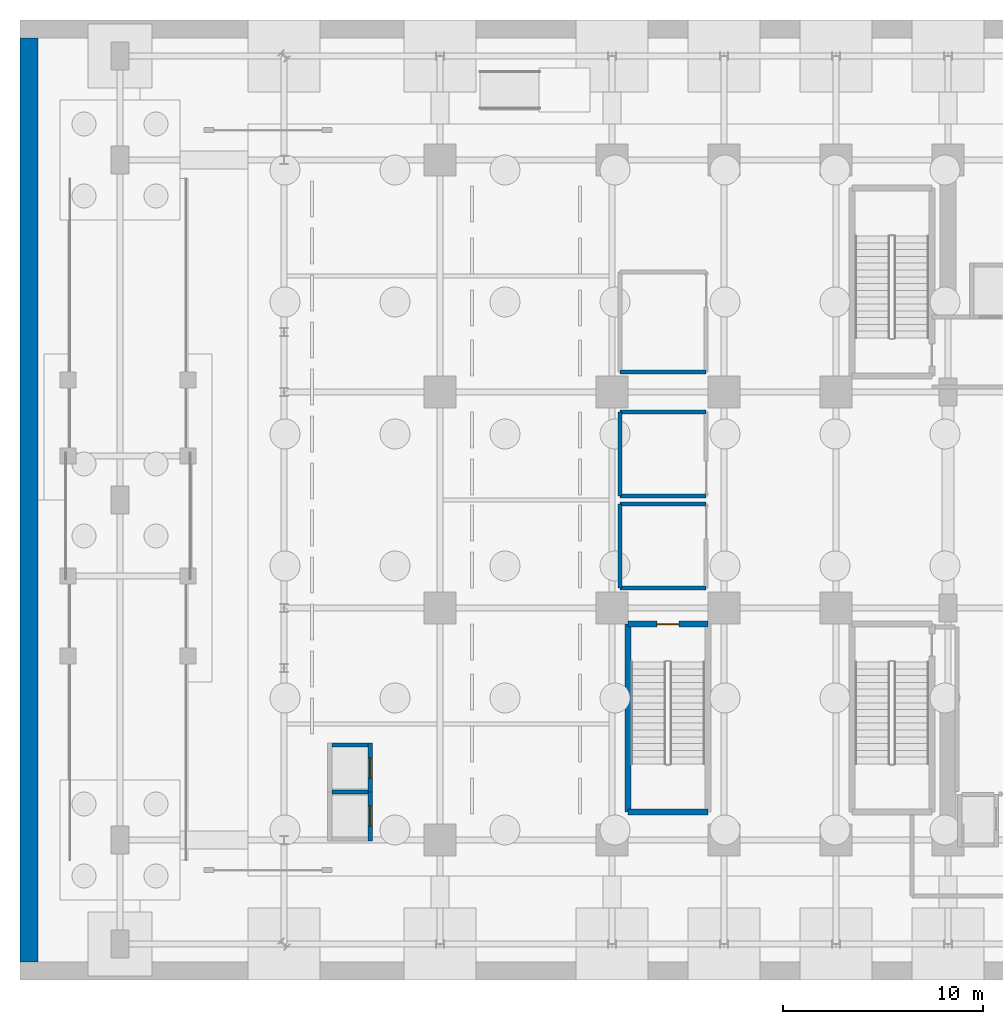
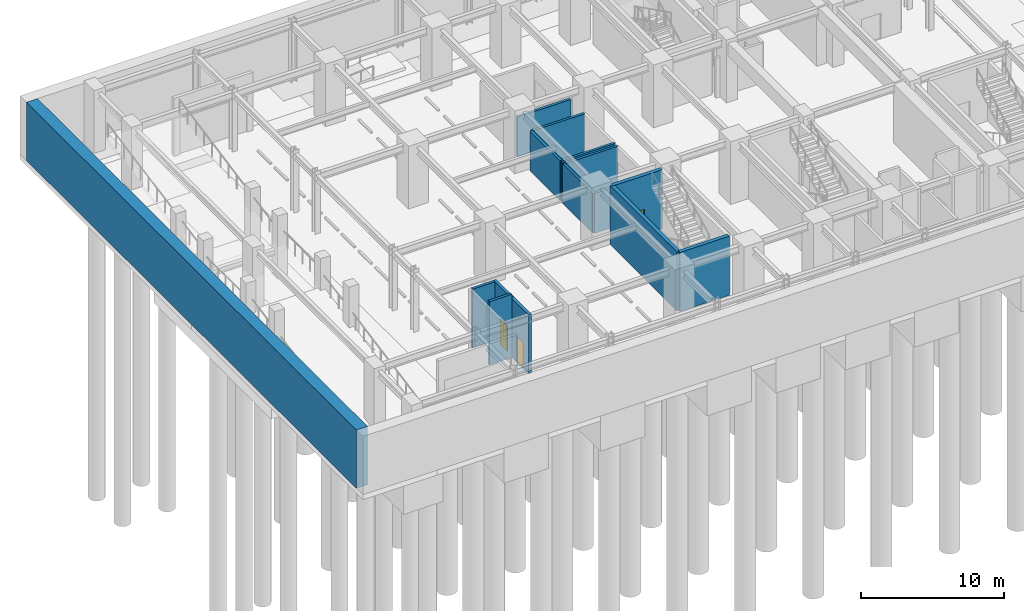
# One storey, part 6 of 14: 15 walls, 3 doors, 3 openings.
"""IFC4 building model written with IfcOpenShell, lengths in metres."""

from ifc_helpers import new_model, si_unit, direction, frame, frame_2d, origin, place, context, subcontext, project, spatial, rectangle, extrude, source, transform, mapped, material, layer, layer_set, type_object, element, fill, save


model = new_model("IFC4")

# Units and contexts
model_context = context("Model", 3, precision=1e-05, world=origin(), true_north=direction((0.0, 1.0)))
body_context = subcontext(model_context, "Body", "Model", "MODEL_VIEW")
ifc_project = project(units=[si_unit("LENGTHUNIT", "METRE"), si_unit("AREAUNIT", "SQUARE_METRE"), si_unit("VOLUMEUNIT", "CUBIC_METRE"), si_unit("PLANEANGLEUNIT", "RADIAN"), si_unit("MASSUNIT", "GRAM", prefix="KILO")], contexts=[model_context])

# Site, building, storey
site_placement = place(None, origin())
site = spatial("IfcSite", under=ifc_project, at=site_placement, CompositionType="ELEMENT")
building_placement = place(site_placement, origin())
building = spatial("IfcBuilding", under=site, at=building_placement, Name="Nahalor Promenade Grand Hotel", CompositionType="ELEMENT")
storey_placement = place(building_placement, frame((0.0, 0.0, -10.800048828125)))
storey = spatial("IfcBuildingStorey", under=building, at=storey_placement, Name="B02", CompositionType="ELEMENT", Elevation=-10.800048828125)

# Walls
ifc_material_1 = material(Name="Concrete B-50 (C40/50)", Category="concrete")
ifc_layer_1 = layer(ifc_material_1, 0.89990234375)
ifc_layer_set_1 = layer_set([ifc_layer_1], Name="Concrete B-50 (C40/50)")
wall_type_1 = type_object("IfcWallType", Name="Wall-Diaphragm-900", PredefinedType="SHEAR", material=ifc_layer_set_1)
shared_shape_1 = source(origin(), body_context, "Body", "SweptSolid", [
    extrude(rectangle(XDim=46.2001953125, YDim=0.89990234375, at=frame_2d((23.10009765625, 0.0))), origin(), (0.0, 0.0, 1.0), 4.97998046875),
])
wall_1_placement = place(storey_placement, frame((-37.550048828125, -23.10009765625, 0.0), z_axis=(0.0, 0.0, 1.0), x_axis=(0.0, 1.0, 0.0)))
element("IfcWall", 1, at=wall_1_placement, inside=storey, type_object=wall_type_1, Name="DW-B02-W", PredefinedType="SHEAR", context=body_context, shape_type="MappedRepresentation", body=[
    mapped(shared_shape_1, transform((0.0, 0.0, 0.0), scale=1.0)),
])
ifc_layer_2 = layer(ifc_material_1, 0.300048828125)
ifc_layer_set_2 = layer_set([ifc_layer_2], Name="Concrete B-50 (C40/50)")
wall_type_2 = type_object("IfcWallType", Name="Wall-ShaftShear-300", PredefinedType="SHEAR", material=ifc_layer_set_2)
shared_shape_2 = source(origin(), body_context, "Body", "SweptSolid", [
    extrude(rectangle(XDim=3.97998046875, YDim=0.300048828125, at=frame_2d((1.989990234375, 0.0))), origin(), (0.0, 0.0, 1.0), 5.050048828125),
])
wall_2_placement = place(storey_placement, frame((-7.590087890625, -15.590087890625, 0.0), z_axis=(0.0, 0.0, 1.0), x_axis=(1.0, 0.0, 0.0)))
element("IfcWall", 2, at=wall_2_placement, inside=storey, type_object=wall_type_2, Name="B02 Exit Stair ST3 Shaft Wall S", PredefinedType="SHEAR", context=body_context, shape_type="MappedRepresentation", body=[
    mapped(shared_shape_2, transform((0.0, 0.0, 0.0), scale=1.0)),
])

# Wall, opening, door
wall_3_placement = place(storey_placement, frame((-7.590087890625, -6.2099609375, 0.0), z_axis=(0.0, 0.0, 1.0), x_axis=(1.0, 0.0, 0.0)))
wall_3 = element("IfcWall", 3, at=wall_3_placement, inside=storey, type_object=wall_type_2, Name="B02 Exit Stair ST3 Shaft Wall N", PredefinedType="SHEAR", context=body_context, shape_type="MappedRepresentation", body=[
    mapped(shared_shape_2, transform((0.0, 0.0, 0.0), scale=1.0)),
])
opening_1_placement = place(wall_3_placement, frame((1.43994140625, 0.0, 0.0)))
opening_1 = element("IfcOpeningElement", 4, at=opening_1_placement, cuts=wall_3, Name="Opening D-ST1", PredefinedType="OPENING", context=body_context, shape_type="SweptSolid", body=[
    extrude(rectangle(XDim=1.10009765625, YDim=2.14990234375, at=frame_2d((0.550048828125, 1.074951171875))), frame((0.0, 0.159912109375, 0.0), z_axis=(0.0, -1.0, 0.0), x_axis=(1.0, 0.0, 0.0)), (0.0, 0.0, 1.0), 0.320068359375),
])
ifc_material_2 = material(Name="Steel S355JR", Category="steel")
door_type_1 = type_object("IfcDoorType", Name="Door-StairFire-1100", OperationType="NOTDEFINED", PredefinedType="DOOR", material=ifc_material_2)
shared_shape_3 = source(origin(), body_context, "Body", "SweptSolid", [
    extrude(rectangle(XDim=1.10009765625, YDim=2.14990234375, at=frame_2d((0.550048828125, 1.074951171875))), frame((0.0, 0.02490234375, 0.0), z_axis=(0.0, -1.0, 0.0), x_axis=(1.0, 0.0, 0.0)), (0.0, 0.0, 1.0), 0.050048828125),
])
door_1_placement = place(opening_1_placement, frame((1.10009765625, 0.0, 0.0), z_axis=(0.0, 0.0, 1.0), x_axis=(-1.0, 0.0, 0.0)))
door_1 = element("IfcDoor", 5, at=door_1_placement, inside=storey, type_object=door_type_1, Name="DR-STAIR-ST3-B02", OperationType="SINGLE_SWING_LEFT", OverallHeight=2.14990234375, OverallWidth=1.10009765625, PredefinedType="DOOR", context=body_context, shape_type="MappedRepresentation", body=[
    mapped(shared_shape_3, transform((0.0, 0.0, 0.0), scale=1.0)),
])
fill(opening_1, door_1)

# Wall
shared_shape_4 = source(origin(), body_context, "Body", "SweptSolid", [
    extrude(rectangle(XDim=9.380126953125, YDim=0.300048828125, at=frame_2d((4.68994140625, 0.0))), origin(), (0.0, 0.0, 1.0), 5.050048828125),
])
wall_4_placement = place(storey_placement, frame((-7.590087890625, -15.590087890625, 0.0), z_axis=(0.0, 0.0, 1.0), x_axis=(0.0, 1.0, 0.0)))
element("IfcWall", 6, at=wall_4_placement, inside=storey, type_object=wall_type_2, Name="B02 Exit Stair ST3 Shaft Wall W", PredefinedType="SHEAR", context=body_context, shape_type="MappedRepresentation", body=[
    mapped(shared_shape_4, transform((0.0, 0.0, 0.0), scale=1.0)),
])

# Wall, opening, door
ifc_layer_3 = layer(ifc_material_1, 0.219970703125)
ifc_layer_set_3 = layer_set([ifc_layer_3], Name="Concrete B-50 (C40/50)")
wall_type_3 = type_object("IfcWallType", Name="Wall-LiftShaft-220", PredefinedType="SHEAR", material=ifc_layer_set_3)
shared_shape_5 = source(origin(), body_context, "Body", "SweptSolid", [
    extrude(rectangle(XDim=2.4599609375, YDim=0.219970703125, at=frame_2d((1.22998046875, 0.0))), origin(), (0.0, 0.0, 1.0), 5.050048828125),
])
wall_5_placement = place(storey_placement, frame((-20.47998046875, -17.06005859375, 0.0), z_axis=(0.0, 0.0, 1.0), x_axis=(0.0, 1.0, 0.0)))
wall_5 = element("IfcWall", 7, at=wall_5_placement, inside=storey, type_object=wall_type_3, Name="B02 Lift PD1 Hoistway Wall E", PredefinedType="SHEAR", context=body_context, shape_type="MappedRepresentation", body=[
    mapped(shared_shape_5, transform((0.0, 0.0, 0.0), scale=1.0)),
])
opening_2_placement = place(wall_5_placement, frame((0.760009765625, 0.0, 0.0)))
opening_2 = element("IfcOpeningElement", 8, at=opening_2_placement, cuts=wall_5, Name="Opening LD-01", PredefinedType="OPENING", context=body_context, shape_type="SweptSolid", body=[
    extrude(rectangle(XDim=1.0, YDim=2.199951171875, at=frame_2d((0.5, 1.10009765625))), frame((0.0, 0.119873046875, 0.0), z_axis=(0.0, -1.0, 0.0), x_axis=(1.0, 0.0, 0.0)), (0.0, 0.0, 1.0), 0.239990234375),
])
door_type_2 = type_object("IfcDoorType", Name="Door-LiftLanding-1000", OperationType="DOUBLE_DOOR_SLIDING", PredefinedType="DOOR", material=ifc_material_2)
shared_shape_6 = source(origin(), body_context, "Body", "SweptSolid", [
    extrude(rectangle(XDim=1.0, YDim=2.199951171875, at=frame_2d((0.5, 1.10009765625))), frame((0.0, 0.02490234375, 0.0), z_axis=(0.0, -1.0, 0.0), x_axis=(1.0, 0.0, 0.0)), (0.0, 0.0, 1.0), 0.050048828125),
])
door_2_placement = place(opening_2_placement, frame((1.0, 0.0, 0.0), z_axis=(0.0, 0.0, 1.0), x_axis=(-1.0, 0.0, 0.0)))
door_2 = element("IfcDoor", 9, at=door_2_placement, inside=storey, type_object=door_type_2, Name="DR-LIFT-PD1-B02", OperationType="DOUBLE_DOOR_SLIDING", OverallHeight=2.199951171875, OverallWidth=1.0, PredefinedType="DOOR", context=body_context, shape_type="MappedRepresentation", body=[
    mapped(shared_shape_6, transform((0.0, 0.0, 0.0), scale=1.0)),
])
fill(opening_2, door_2)

# Walls
shared_shape_7 = source(origin(), body_context, "Body", "SweptSolid", [
    extrude(rectangle(XDim=1.81982421875, YDim=0.219970703125, at=frame_2d((0.909912109375, 0.0))), origin(), (0.0, 0.0, 1.0), 5.050048828125),
])
wall_6_placement = place(storey_placement, frame((-22.409912109375, -12.25, 0.0), z_axis=(0.0, 0.0, 1.0), x_axis=(1.0, 0.0, 0.0)))
element("IfcWall", 10, at=wall_6_placement, inside=storey, type_object=wall_type_3, Name="B02 Lift PD2 Hoistway Wall N", PredefinedType="SHEAR", context=body_context, shape_type="MappedRepresentation", body=[
    mapped(shared_shape_7, transform((0.0, 0.0, 0.0), scale=1.0)),
])
shared_shape_8 = source(origin(), body_context, "Body", "SweptSolid", [
    extrude(rectangle(XDim=1.81982421875, YDim=0.219970703125, at=frame_2d((0.909912109375, 0.0))), origin(), (0.0, 0.0, 1.0), 5.400146484375),
])
wall_7_placement = place(storey_placement, frame((-22.409912109375, -14.60009765625, 0.0), z_axis=(0.0, 0.0, 1.0), x_axis=(1.0, 0.0, 0.0)))
element("IfcWall", 11, at=wall_7_placement, inside=storey, type_object=wall_type_3, Name="B02 Lift PD1 Hoistway Wall N", PredefinedType="SHEAR", context=body_context, shape_type="MappedRepresentation", body=[
    mapped(shared_shape_8, transform((0.0, 0.0, 0.0), scale=1.0)),
])

# Wall, opening, door
shared_shape_9 = source(origin(), body_context, "Body", "SweptSolid", [
    extrude(rectangle(XDim=2.460205078125, YDim=0.219970703125, at=frame_2d((1.22998046875, 0.0))), origin(), (0.0, 0.0, 1.0), 5.050048828125),
])
wall_8_placement = place(storey_placement, frame((-20.47998046875, -14.60009765625, 0.0), z_axis=(0.0, 0.0, 1.0), x_axis=(0.0, 1.0, 0.0)))
wall_8 = element("IfcWall", 12, at=wall_8_placement, inside=storey, type_object=wall_type_3, Name="B02 Lift PD2 Hoistway Wall E", PredefinedType="SHEAR", context=body_context, shape_type="MappedRepresentation", body=[
    mapped(shared_shape_9, transform((0.0, 0.0, 0.0), scale=1.0)),
])
opening_3_placement = place(wall_8_placement, frame((0.699951171875, 0.0, 0.0)))
opening_3 = element("IfcOpeningElement", 13, at=opening_3_placement, cuts=wall_8, Name="Opening LD-01", PredefinedType="OPENING", context=body_context, shape_type="SweptSolid", body=[
    extrude(rectangle(XDim=1.0, YDim=2.199951171875, at=frame_2d((0.5, 1.10009765625))), frame((0.0, 0.119873046875, 0.0), z_axis=(0.0, -1.0, 0.0), x_axis=(1.0, 0.0, 0.0)), (0.0, 0.0, 1.0), 0.239990234375),
])
door_3_placement = place(opening_3_placement, frame((1.0, 0.0, 0.0), z_axis=(0.0, 0.0, 1.0), x_axis=(-1.0, 0.0, 0.0)))
door_3 = element("IfcDoor", 14, at=door_3_placement, inside=storey, type_object=door_type_2, Name="DR-LIFT-PD2-B02", OperationType="DOUBLE_DOOR_SLIDING", OverallHeight=2.199951171875, OverallWidth=1.0, PredefinedType="DOOR", context=body_context, shape_type="MappedRepresentation", body=[
    mapped(shared_shape_6, transform((0.0, 0.0, 0.0), scale=1.0)),
])
fill(opening_3, door_3)

# Walls
ifc_material_3 = material(Name="Concrete B-40 (C32/40)", Category="concrete")
ifc_layer_4 = layer(ifc_material_3, 0.199951171875)
ifc_layer_set_4 = layer_set([ifc_layer_4], Name="Concrete B-40 (C32/40)")
wall_type_4 = type_object("IfcWallType", Name="Wall-PartFire-200", PredefinedType="PARTITIONING", material=ifc_layer_set_4)
shared_shape_10 = source(origin(), body_context, "Body", "SweptSolid", [
    extrude(rectangle(XDim=4.300048828125, YDim=0.199951171875, at=frame_2d((2.14990234375, 0.0))), origin(), (0.0, 0.0, 1.0), 3.400146484375),
])
for number, where, z_axis, x_axis, name in (
    (15, (-8.0, -4.39990234375, 0.0), (0.0, 0.0, 1.0), (1.0, 0.0, 0.0), "W-B02-BPL1-S"),
    (16, (-8.0, -0.199951171875, 0.0), (0.0, 0.0, 1.0), (1.0, 0.0, 0.0), "W-B02-BPL1-N"),
    (17, (-8.0, 0.199951171875, 0.0), (0.0, 0.0, 1.0), (1.0, 0.0, 0.0), "W-B02-BPL2-S"),
    (18, (-8.0, 4.39990234375, 0.0), (0.0, 0.0, 1.0), (1.0, 0.0, 0.0), "W-B02-BPL2-N"),
    (19, (-8.0, 6.39990234375, 0.0), (0.0, 0.0, 1.0), (1.0, 0.0, 0.0), "W-B02-BPL3-S"),
):
    element("IfcWall", number, at=place(storey_placement, frame(where, z_axis=z_axis, x_axis=x_axis)), inside=storey, type_object=wall_type_4, Name=name, PredefinedType="PARTITIONING", context=body_context, shape_type="MappedRepresentation", body=[
        mapped(shared_shape_10, transform((0.0, 0.0, 0.0), scale=1.0)),
    ])
shared_shape_11 = source(origin(), body_context, "Body", "SweptSolid", [
    extrude(rectangle(XDim=4.199951171875, YDim=0.199951171875, at=frame_2d((2.10009765625, 0.0))), origin(), (0.0, 0.0, 1.0), 3.400146484375),
])
for number, where, z_axis, x_axis, name in (
    (20, (-8.0, -4.39990234375, 0.0), (0.0, 0.0, 1.0), (0.0, 1.0, 0.0), "W-B02-BPL1-W"),
    (21, (-8.0, 0.199951171875, 0.0), (0.0, 0.0, 1.0), (0.0, 1.0, 0.0), "W-B02-BPL2-W"),
):
    element("IfcWall", number, at=place(storey_placement, frame(where, z_axis=z_axis, x_axis=x_axis)), inside=storey, type_object=wall_type_4, Name=name, PredefinedType="PARTITIONING", context=body_context, shape_type="MappedRepresentation", body=[
        mapped(shared_shape_11, transform((0.0, 0.0, 0.0), scale=1.0)),
    ])

save(model, "model.ifc")
